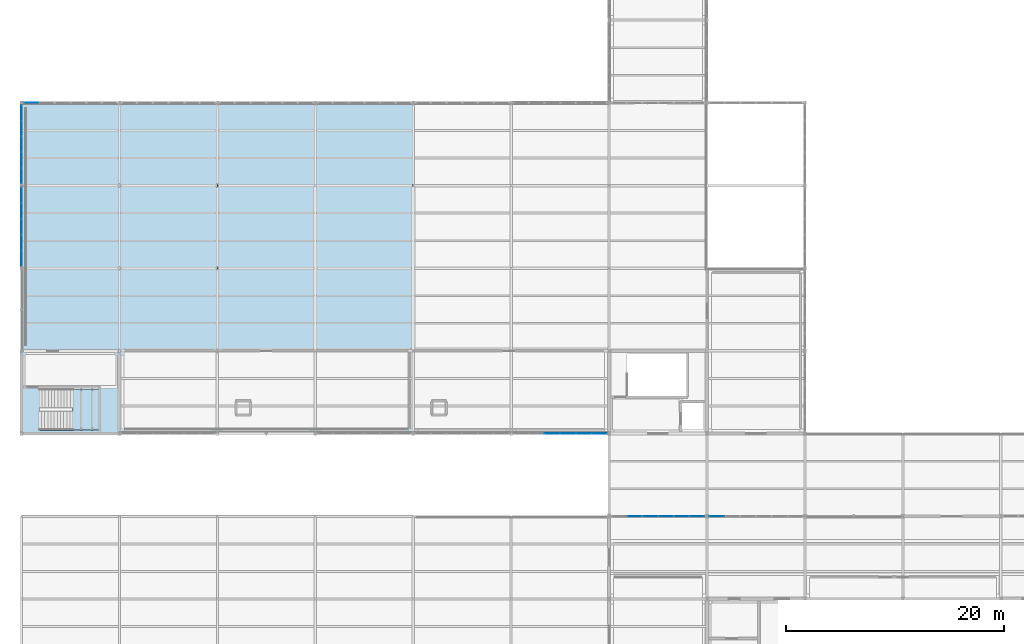
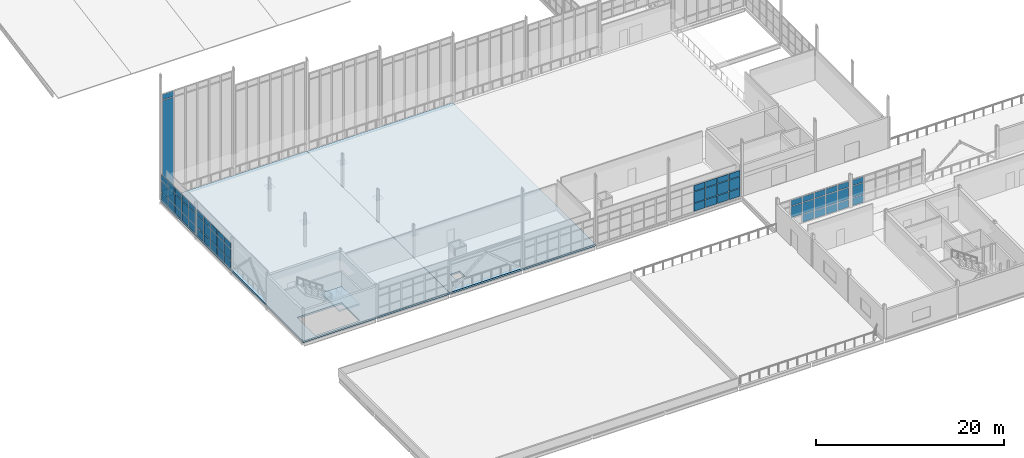
# One storey, part 124 of 166: 62 plates, 3 slabs, 7 elements without a shape of their own.
"""IFC4 building model written with IfcOpenShell, lengths in metres."""

from ifc_helpers import new_model, si_unit, direction, frame, origin, origin_2d, place, context, subcontext, project, spatial, polyline, rectangle, outline, extrude, material, layer, layer_set, type_object, element, aggregate, save


model = new_model("IFC4")

# Units and contexts
model_context = context("Model", 3, precision=1e-05, world=origin(), true_north=direction((0.0, 1.0)))
body_context = subcontext(model_context, "Body", "Model", "MODEL_VIEW")
ifc_project = project(units=[si_unit("LENGTHUNIT", "METRE"), si_unit("AREAUNIT", "SQUARE_METRE"), si_unit("VOLUMEUNIT", "CUBIC_METRE"), si_unit("PLANEANGLEUNIT", "RADIAN"), si_unit("MASSUNIT", "GRAM", prefix="KILO")], contexts=[model_context])

# Site, building, storey
site_placement = place(None, origin())
site = spatial("IfcSite", under=ifc_project, at=site_placement, CompositionType="ELEMENT")
building_placement = place(site_placement, origin())
building = spatial("IfcBuilding", under=site, at=building_placement, Name="Caisbarro Railhouse Central Library", CompositionType="ELEMENT")
storey_placement = place(building_placement, frame((0.0, 0.0, 9.360107421875)))
storey = spatial("IfcBuildingStorey", under=building, at=storey_placement, Name="L02", CompositionType="ELEMENT", Elevation=9.360107421875)

# Curtain wall, plates
ifc_material_1 = material(Name="Anodised architectural aluminium", Category="aluminium")
curtain_wall_type_1 = type_object("IfcCurtainWallType", Name="CW-CW05", PredefinedType="NOTDEFINED", material=ifc_material_1)
curtain_wall_1_placement = place(storey_placement, origin())
curtain_wall_1 = element("IfcCurtainWall", 1, at=curtain_wall_1_placement, inside=storey, type_object=curtain_wall_type_1, Name="CW05 curtain wall L02 #3", PredefinedType="NOTDEFINED")
ifc_material_2 = material(Name="Double low-e laminated solar-control glass", Category="glass")
ifc_layer_1 = layer(ifc_material_2, 0.01806640625, Name="Double low-e laminated solar-control glass")
ifc_layer_set_1 = layer_set([ifc_layer_1], Name="Double low-e laminated solar-control glass")
plate_type_1 = type_object("IfcPlateType", Name="CWP-CP18", PredefinedType="CURTAIN_PANEL", material=ifc_layer_set_1)
plate_1_placement = place(storey_placement, frame((0.902099609375, 60.800048828125, 0.07470703125), z_axis=(0.0, 0.0, 1.0), x_axis=(1.0, 0.0, 0.0)))
plate_1 = element("IfcPlate", 2, at=plate_1_placement, type_object=plate_type_1, Name="CW05 panel 1.1", PredefinedType="CURTAIN_PANEL", context=body_context, shape_type="SweptSolid", body=[
    extrude(rectangle(XDim=1.334228515625, YDim=0.01806640625, at=origin_2d()), origin(), (0.0, 0.0, 1.0), 1.007568359375),
])
plate_2_placement = place(storey_placement, frame((0.902099609375, 60.800048828125, 1.157470703125), z_axis=(0.0, 0.0, 1.0), x_axis=(1.0, 0.0, 0.0)))
plate_2 = element("IfcPlate", 3, at=plate_2_placement, type_object=plate_type_1, Name="CW05 panel 1.2", PredefinedType="CURTAIN_PANEL", context=body_context, shape_type="SweptSolid", body=[
    extrude(rectangle(XDim=1.334228515625, YDim=0.01806640625, at=origin_2d()), origin(), (0.0, 0.0, 1.0), 11.625),
])
plate_3_placement = place(storey_placement, frame((0.902099609375, 60.800048828125, 12.857421875), z_axis=(0.0, 0.0, 1.0), x_axis=(1.0, 0.0, 0.0)))
plate_3 = element("IfcPlate", 4, at=plate_3_placement, type_object=plate_type_1, Name="CW05 panel 1.3", PredefinedType="CURTAIN_PANEL", context=body_context, shape_type="SweptSolid", body=[
    extrude(rectangle(XDim=1.334228515625, YDim=0.01806640625, at=origin_2d()), origin(), (0.0, 0.0, 1.0), 0.737548828125),
])
aggregate(curtain_wall_1, [plate_1, plate_2, plate_3])

curtain_wall_type_2 = type_object("IfcCurtainWallType", Name="CW-CW02", PredefinedType="NOTDEFINED", material=ifc_material_1)
curtain_wall_2_placement = place(storey_placement, origin())
curtain_wall_2 = element("IfcCurtainWall", 5, at=curtain_wall_2_placement, inside=storey, type_object=curtain_wall_type_2, Name="CW02 curtain wall L02 #58", PredefinedType="NOTDEFINED")
plate_4_placement = place(storey_placement, frame((56.330078125, 22.800048828125, 1.1572265625), z_axis=(0.0, 0.0, 1.0), x_axis=(1.0, 0.0, 0.0)))
plate_4 = element("IfcPlate", 6, at=plate_4_placement, type_object=plate_type_1, Name="CW02 panel 2.2", PredefinedType="CURTAIN_PANEL", context=body_context, shape_type="SweptSolid", body=[
    extrude(rectangle(XDim=1.37158203125, YDim=0.01806640625, at=origin_2d()), origin(), (0.0, 0.0, 1.0), 1.465087890625),
])
plate_5_placement = place(storey_placement, frame((56.330078125, 22.800048828125, 2.697265625), z_axis=(0.0, 0.0, 1.0), x_axis=(1.0, 0.0, 0.0)))
plate_5 = element("IfcPlate", 7, at=plate_5_placement, type_object=plate_type_1, Name="CW02 panel 2.3", PredefinedType="CURTAIN_PANEL", context=body_context, shape_type="SweptSolid", body=[
    extrude(rectangle(XDim=1.37158203125, YDim=0.01806640625, at=origin_2d()), origin(), (0.0, 0.0, 1.0), 0.737548828125),
])
plate_6_placement = place(storey_placement, frame((57.776611328125, 22.800048828125, 0.07470703125), z_axis=(0.0, 0.0, 1.0), x_axis=(1.0, 0.0, 0.0)))
plate_6 = element("IfcPlate", 8, at=plate_6_placement, type_object=plate_type_1, Name="CW02 panel 3.1", PredefinedType="CURTAIN_PANEL", context=body_context, shape_type="SweptSolid", body=[
    extrude(rectangle(XDim=1.37158203125, YDim=0.01806640625, at=origin_2d()), origin(), (0.0, 0.0, 1.0), 1.007568359375),
])
plate_7_placement = place(storey_placement, frame((57.776611328125, 22.800048828125, 1.1572265625), z_axis=(0.0, 0.0, 1.0), x_axis=(1.0, 0.0, 0.0)))
plate_7 = element("IfcPlate", 9, at=plate_7_placement, type_object=plate_type_1, Name="CW02 panel 3.2", PredefinedType="CURTAIN_PANEL", context=body_context, shape_type="SweptSolid", body=[
    extrude(rectangle(XDim=1.37158203125, YDim=0.01806640625, at=origin_2d()), origin(), (0.0, 0.0, 1.0), 1.465087890625),
])
plate_8_placement = place(storey_placement, frame((57.776611328125, 22.800048828125, 2.697265625), z_axis=(0.0, 0.0, 1.0), x_axis=(1.0, 0.0, 0.0)))
plate_8 = element("IfcPlate", 10, at=plate_8_placement, type_object=plate_type_1, Name="CW02 panel 3.3", PredefinedType="CURTAIN_PANEL", context=body_context, shape_type="SweptSolid", body=[
    extrude(rectangle(XDim=1.37158203125, YDim=0.01806640625, at=origin_2d()), origin(), (0.0, 0.0, 1.0), 0.737548828125),
])
plate_9_placement = place(storey_placement, frame((59.223388671875, 22.800048828125, 0.07470703125), z_axis=(0.0, 0.0, 1.0), x_axis=(1.0, 0.0, 0.0)))
plate_9 = element("IfcPlate", 11, at=plate_9_placement, type_object=plate_type_1, Name="CW02 panel 4.1", PredefinedType="CURTAIN_PANEL", context=body_context, shape_type="SweptSolid", body=[
    extrude(rectangle(XDim=1.37158203125, YDim=0.01806640625, at=origin_2d()), origin(), (0.0, 0.0, 1.0), 1.007568359375),
])
plate_10_placement = place(storey_placement, frame((59.223388671875, 22.800048828125, 1.1572265625), z_axis=(0.0, 0.0, 1.0), x_axis=(1.0, 0.0, 0.0)))
plate_10 = element("IfcPlate", 12, at=plate_10_placement, type_object=plate_type_1, Name="CW02 panel 4.2", PredefinedType="CURTAIN_PANEL", context=body_context, shape_type="SweptSolid", body=[
    extrude(rectangle(XDim=1.37158203125, YDim=0.01806640625, at=origin_2d()), origin(), (0.0, 0.0, 1.0), 1.465087890625),
])
plate_11_placement = place(storey_placement, frame((59.223388671875, 22.800048828125, 2.697265625), z_axis=(0.0, 0.0, 1.0), x_axis=(1.0, 0.0, 0.0)))
plate_11 = element("IfcPlate", 13, at=plate_11_placement, type_object=plate_type_1, Name="CW02 panel 4.3", PredefinedType="CURTAIN_PANEL", context=body_context, shape_type="SweptSolid", body=[
    extrude(rectangle(XDim=1.37158203125, YDim=0.01806640625, at=origin_2d()), origin(), (0.0, 0.0, 1.0), 0.737548828125),
])
plate_12_placement = place(storey_placement, frame((60.669921875, 22.800048828125, 0.07470703125), z_axis=(0.0, 0.0, 1.0), x_axis=(1.0, 0.0, 0.0)))
plate_12 = element("IfcPlate", 14, at=plate_12_placement, type_object=plate_type_1, Name="CW02 panel 5.1", PredefinedType="CURTAIN_PANEL", context=body_context, shape_type="SweptSolid", body=[
    extrude(rectangle(XDim=1.37158203125, YDim=0.01806640625, at=origin_2d()), origin(), (0.0, 0.0, 1.0), 1.007568359375),
])
plate_13_placement = place(storey_placement, frame((60.669921875, 22.800048828125, 1.1572265625), z_axis=(0.0, 0.0, 1.0), x_axis=(1.0, 0.0, 0.0)))
plate_13 = element("IfcPlate", 15, at=plate_13_placement, type_object=plate_type_1, Name="CW02 panel 5.2", PredefinedType="CURTAIN_PANEL", context=body_context, shape_type="SweptSolid", body=[
    extrude(rectangle(XDim=1.37158203125, YDim=0.01806640625, at=origin_2d()), origin(), (0.0, 0.0, 1.0), 1.465087890625),
])
plate_14_placement = place(storey_placement, frame((60.669921875, 22.800048828125, 2.697265625), z_axis=(0.0, 0.0, 1.0), x_axis=(1.0, 0.0, 0.0)))
plate_14 = element("IfcPlate", 16, at=plate_14_placement, type_object=plate_type_1, Name="CW02 panel 5.3", PredefinedType="CURTAIN_PANEL", context=body_context, shape_type="SweptSolid", body=[
    extrude(rectangle(XDim=1.37158203125, YDim=0.01806640625, at=origin_2d()), origin(), (0.0, 0.0, 1.0), 0.737548828125),
])
plate_15_placement = place(storey_placement, frame((62.097900390625, 22.800048828125, 0.07470703125), z_axis=(0.0, 0.0, 1.0), x_axis=(1.0, 0.0, 0.0)))
plate_15 = element("IfcPlate", 17, at=plate_15_placement, type_object=plate_type_1, Name="CW02 panel 6.1", PredefinedType="CURTAIN_PANEL", context=body_context, shape_type="SweptSolid", body=[
    extrude(rectangle(XDim=1.334228515625, YDim=0.01806640625, at=origin_2d()), origin(), (0.0, 0.0, 1.0), 1.007568359375),
])
plate_16_placement = place(storey_placement, frame((62.097900390625, 22.800048828125, 1.1572265625), z_axis=(0.0, 0.0, 1.0), x_axis=(1.0, 0.0, 0.0)))
plate_16 = element("IfcPlate", 18, at=plate_16_placement, type_object=plate_type_1, Name="CW02 panel 6.2", PredefinedType="CURTAIN_PANEL", context=body_context, shape_type="SweptSolid", body=[
    extrude(rectangle(XDim=1.334228515625, YDim=0.01806640625, at=origin_2d()), origin(), (0.0, 0.0, 1.0), 1.465087890625),
])
plate_17_placement = place(storey_placement, frame((62.097900390625, 22.800048828125, 2.697265625), z_axis=(0.0, 0.0, 1.0), x_axis=(1.0, 0.0, 0.0)))
plate_17 = element("IfcPlate", 19, at=plate_17_placement, type_object=plate_type_1, Name="CW02 panel 6.3", PredefinedType="CURTAIN_PANEL", context=body_context, shape_type="SweptSolid", body=[
    extrude(rectangle(XDim=1.334228515625, YDim=0.01806640625, at=origin_2d()), origin(), (0.0, 0.0, 1.0), 0.737548828125),
])
aggregate(curtain_wall_2, [plate_4, plate_5, plate_6, plate_7, plate_8, plate_9, plate_10, plate_11, plate_12, plate_13, plate_14, plate_15, plate_16, plate_17])

curtain_wall_3_placement = place(storey_placement, origin())
curtain_wall_3 = element("IfcCurtainWall", 20, at=curtain_wall_3_placement, inside=storey, type_object=curtain_wall_type_2, Name="CW02 curtain wall L02 #59", PredefinedType="NOTDEFINED")
ifc_layer_2 = layer(ifc_material_2, 0.028076171875, Name="Double low-e laminated solar-control glass")
ifc_layer_set_2 = layer_set([ifc_layer_2], Name="Double low-e laminated solar-control glass")
plate_type_2 = type_object("IfcPlateType", Name="CWP-CP28", PredefinedType="CURTAIN_PANEL", material=ifc_layer_set_2)
plate_18_placement = place(storey_placement, frame((63.899658203125, 22.800048828125, 0.07470703125), z_axis=(0.0, 0.0, 1.0), x_axis=(1.0, 0.0, 0.0)))
plate_18 = element("IfcPlate", 21, at=plate_18_placement, type_object=plate_type_2, Name="CW02 panel 1.1", PredefinedType="CURTAIN_PANEL", context=body_context, shape_type="SweptSolid", body=[
    extrude(rectangle(XDim=1.34912109375, YDim=0.028076171875, at=origin_2d()), origin(), (0.0, 0.0, 1.0), 1.007568359375),
])
plate_19_placement = place(storey_placement, frame((63.899658203125, 22.800048828125, 1.1572265625), z_axis=(0.0, 0.0, 1.0), x_axis=(1.0, 0.0, 0.0)))
plate_19 = element("IfcPlate", 22, at=plate_19_placement, type_object=plate_type_2, Name="CW02 panel 1.2", PredefinedType="CURTAIN_PANEL", context=body_context, shape_type="SweptSolid", body=[
    extrude(rectangle(XDim=1.34912109375, YDim=0.028076171875, at=origin_2d()), origin(), (0.0, 0.0, 1.0), 1.465087890625),
])
plate_20_placement = place(storey_placement, frame((63.899658203125, 22.800048828125, 2.697265625), z_axis=(0.0, 0.0, 1.0), x_axis=(1.0, 0.0, 0.0)))
plate_20 = element("IfcPlate", 23, at=plate_20_placement, type_object=plate_type_2, Name="CW02 panel 1.3", PredefinedType="CURTAIN_PANEL", context=body_context, shape_type="SweptSolid", body=[
    extrude(rectangle(XDim=1.34912109375, YDim=0.028076171875, at=origin_2d()), origin(), (0.0, 0.0, 1.0), 0.737548828125),
])
aggregate(curtain_wall_3, [plate_18, plate_19, plate_20])

curtain_wall_4_placement = place(storey_placement, origin())
curtain_wall_4 = element("IfcCurtainWall", 24, at=curtain_wall_4_placement, inside=storey, type_object=curtain_wall_type_2, Name="CW02 curtain wall L02 #38", PredefinedType="NOTDEFINED")
ifc_layer_3 = layer(ifc_material_2, 0.0380859375, Name="Double low-e laminated solar-control glass")
ifc_layer_set_3 = layer_set([ifc_layer_3], Name="Double low-e laminated solar-control glass")
plate_type_3 = type_object("IfcPlateType", Name="CWP-CP38", PredefinedType="CURTAIN_PANEL", material=ifc_layer_set_3)
plate_21_placement = place(storey_placement, frame((0.0, 46.504150390625, 0.07470703125), z_axis=(0.0, 0.0, 1.0), x_axis=(0.0, 1.0, 0.0)))
plate_21 = element("IfcPlate", 25, at=plate_21_placement, type_object=plate_type_3, Name="CW02 panel 1.1", PredefinedType="CURTAIN_PANEL", context=body_context, shape_type="SweptSolid", body=[
    extrude(rectangle(XDim=1.3583984375, YDim=0.0380859375, at=origin_2d()), origin(), (0.0, 0.0, 1.0), 1.007568359375),
])
plate_22_placement = place(storey_placement, frame((0.0, 46.504150390625, 1.1572265625), z_axis=(0.0, 0.0, 1.0), x_axis=(0.0, 1.0, 0.0)))
plate_22 = element("IfcPlate", 26, at=plate_22_placement, type_object=plate_type_3, Name="CW02 panel 1.2", PredefinedType="CURTAIN_PANEL", context=body_context, shape_type="SweptSolid", body=[
    extrude(rectangle(XDim=1.3583984375, YDim=0.0380859375, at=origin_2d()), origin(), (0.0, 0.0, 1.0), 1.445068359375),
])
plate_23_placement = place(storey_placement, frame((0.0, 46.504150390625, 2.67724609375), z_axis=(0.0, 0.0, 1.0), x_axis=(0.0, 1.0, 0.0)))
plate_23 = element("IfcPlate", 27, at=plate_23_placement, type_object=plate_type_3, Name="CW02 panel 1.3", PredefinedType="CURTAIN_PANEL", context=body_context, shape_type="SweptSolid", body=[
    extrude(rectangle(XDim=1.3583984375, YDim=0.0380859375, at=origin_2d()), origin(), (0.0, 0.0, 1.0), 0.737548828125),
])
plate_24_placement = place(storey_placement, frame((0.0, 47.944091796875, 0.07470703125), z_axis=(0.0, 0.0, 1.0), x_axis=(0.0, 1.0, 0.0)))
plate_24 = element("IfcPlate", 28, at=plate_24_placement, type_object=plate_type_3, Name="CW02 panel 2.1", PredefinedType="CURTAIN_PANEL", context=body_context, shape_type="SweptSolid", body=[
    extrude(rectangle(XDim=1.39111328125, YDim=0.0380859375, at=origin_2d()), origin(), (0.0, 0.0, 1.0), 1.007568359375),
])
plate_25_placement = place(storey_placement, frame((0.0, 47.944091796875, 1.1572265625), z_axis=(0.0, 0.0, 1.0), x_axis=(0.0, 1.0, 0.0)))
plate_25 = element("IfcPlate", 29, at=plate_25_placement, type_object=plate_type_3, Name="CW02 panel 2.2", PredefinedType="CURTAIN_PANEL", context=body_context, shape_type="SweptSolid", body=[
    extrude(rectangle(XDim=1.39111328125, YDim=0.0380859375, at=origin_2d()), origin(), (0.0, 0.0, 1.0), 1.445068359375),
])
plate_26_placement = place(storey_placement, frame((0.0, 47.944091796875, 2.67724609375), z_axis=(0.0, 0.0, 1.0), x_axis=(0.0, 1.0, 0.0)))
plate_26 = element("IfcPlate", 30, at=plate_26_placement, type_object=plate_type_3, Name="CW02 panel 2.3", PredefinedType="CURTAIN_PANEL", context=body_context, shape_type="SweptSolid", body=[
    extrude(rectangle(XDim=1.39111328125, YDim=0.0380859375, at=origin_2d()), origin(), (0.0, 0.0, 1.0), 0.737548828125),
])
plate_27_placement = place(storey_placement, frame((0.0, 49.39990234375, 0.07470703125), z_axis=(0.0, 0.0, 1.0), x_axis=(0.0, 1.0, 0.0)))
plate_27 = element("IfcPlate", 31, at=plate_27_placement, type_object=plate_type_3, Name="CW02 panel 3.1", PredefinedType="CURTAIN_PANEL", context=body_context, shape_type="SweptSolid", body=[
    extrude(rectangle(XDim=1.39111328125, YDim=0.0380859375, at=origin_2d()), origin(), (0.0, 0.0, 1.0), 1.007568359375),
])
plate_28_placement = place(storey_placement, frame((0.0, 49.39990234375, 1.1572265625), z_axis=(0.0, 0.0, 1.0), x_axis=(0.0, 1.0, 0.0)))
plate_28 = element("IfcPlate", 32, at=plate_28_placement, type_object=plate_type_3, Name="CW02 panel 3.2", PredefinedType="CURTAIN_PANEL", context=body_context, shape_type="SweptSolid", body=[
    extrude(rectangle(XDim=1.39111328125, YDim=0.0380859375, at=origin_2d()), origin(), (0.0, 0.0, 1.0), 1.445068359375),
])
plate_29_placement = place(storey_placement, frame((0.0, 49.39990234375, 2.67724609375), z_axis=(0.0, 0.0, 1.0), x_axis=(0.0, 1.0, 0.0)))
plate_29 = element("IfcPlate", 33, at=plate_29_placement, type_object=plate_type_3, Name="CW02 panel 3.3", PredefinedType="CURTAIN_PANEL", context=body_context, shape_type="SweptSolid", body=[
    extrude(rectangle(XDim=1.39111328125, YDim=0.0380859375, at=origin_2d()), origin(), (0.0, 0.0, 1.0), 0.737548828125),
])
plate_30_placement = place(storey_placement, frame((0.0, 50.85595703125, 0.07470703125), z_axis=(0.0, 0.0, 1.0), x_axis=(0.0, 1.0, 0.0)))
plate_30 = element("IfcPlate", 34, at=plate_30_placement, type_object=plate_type_3, Name="CW02 panel 4.1", PredefinedType="CURTAIN_PANEL", context=body_context, shape_type="SweptSolid", body=[
    extrude(rectangle(XDim=1.39111328125, YDim=0.0380859375, at=origin_2d()), origin(), (0.0, 0.0, 1.0), 1.007568359375),
])
plate_31_placement = place(storey_placement, frame((0.0, 50.85595703125, 1.1572265625), z_axis=(0.0, 0.0, 1.0), x_axis=(0.0, 1.0, 0.0)))
plate_31 = element("IfcPlate", 35, at=plate_31_placement, type_object=plate_type_3, Name="CW02 panel 4.2", PredefinedType="CURTAIN_PANEL", context=body_context, shape_type="SweptSolid", body=[
    extrude(rectangle(XDim=1.39111328125, YDim=0.0380859375, at=origin_2d()), origin(), (0.0, 0.0, 1.0), 1.445068359375),
])
plate_32_placement = place(storey_placement, frame((0.0, 50.85595703125, 2.67724609375), z_axis=(0.0, 0.0, 1.0), x_axis=(0.0, 1.0, 0.0)))
plate_32 = element("IfcPlate", 36, at=plate_32_placement, type_object=plate_type_3, Name="CW02 panel 4.3", PredefinedType="CURTAIN_PANEL", context=body_context, shape_type="SweptSolid", body=[
    extrude(rectangle(XDim=1.39111328125, YDim=0.0380859375, at=origin_2d()), origin(), (0.0, 0.0, 1.0), 0.737548828125),
])
plate_33_placement = place(storey_placement, frame((0.0, 52.295654296875, 0.07470703125), z_axis=(0.0, 0.0, 1.0), x_axis=(0.0, 1.0, 0.0)))
plate_33 = element("IfcPlate", 37, at=plate_33_placement, type_object=plate_type_3, Name="CW02 panel 5.1", PredefinedType="CURTAIN_PANEL", context=body_context, shape_type="SweptSolid", body=[
    extrude(rectangle(XDim=1.3583984375, YDim=0.0380859375, at=origin_2d()), origin(), (0.0, 0.0, 1.0), 1.007568359375),
])
plate_34_placement = place(storey_placement, frame((0.0, 52.295654296875, 1.1572265625), z_axis=(0.0, 0.0, 1.0), x_axis=(0.0, 1.0, 0.0)))
plate_34 = element("IfcPlate", 38, at=plate_34_placement, type_object=plate_type_3, Name="CW02 panel 5.2", PredefinedType="CURTAIN_PANEL", context=body_context, shape_type="SweptSolid", body=[
    extrude(rectangle(XDim=1.3583984375, YDim=0.0380859375, at=origin_2d()), origin(), (0.0, 0.0, 1.0), 1.445068359375),
])
plate_35_placement = place(storey_placement, frame((0.0, 52.295654296875, 2.67724609375), z_axis=(0.0, 0.0, 1.0), x_axis=(0.0, 1.0, 0.0)))
plate_35 = element("IfcPlate", 39, at=plate_35_placement, type_object=plate_type_3, Name="CW02 panel 5.3", PredefinedType="CURTAIN_PANEL", context=body_context, shape_type="SweptSolid", body=[
    extrude(rectangle(XDim=1.3583984375, YDim=0.0380859375, at=origin_2d()), origin(), (0.0, 0.0, 1.0), 0.737548828125),
])
aggregate(curtain_wall_4, [plate_21, plate_22, plate_23, plate_24, plate_25, plate_26, plate_27, plate_28, plate_29, plate_30, plate_31, plate_32, plate_33, plate_34, plate_35])

curtain_wall_5_placement = place(storey_placement, origin())
curtain_wall_5 = element("IfcCurtainWall", 40, at=curtain_wall_5_placement, inside=storey, type_object=curtain_wall_type_2, Name="CW02 curtain wall L02 #39", PredefinedType="NOTDEFINED")
ifc_layer_4 = layer(ifc_material_2, 0.048095703125, Name="Double low-e laminated solar-control glass")
ifc_layer_set_4 = layer_set([ifc_layer_4], Name="Double low-e laminated solar-control glass")
plate_type_4 = type_object("IfcPlateType", Name="CWP-CP48", PredefinedType="CURTAIN_PANEL", material=ifc_layer_set_4)
plate_36_placement = place(storey_placement, frame((0.0, 54.104248046875, 0.07470703125), z_axis=(0.0, 0.0, 1.0), x_axis=(0.0, 1.0, 0.0)))
plate_36 = element("IfcPlate", 41, at=plate_36_placement, type_object=plate_type_4, Name="CW02 panel 1.1", PredefinedType="CURTAIN_PANEL", context=body_context, shape_type="SweptSolid", body=[
    extrude(rectangle(XDim=1.3583984375, YDim=0.048095703125, at=origin_2d()), origin(), (0.0, 0.0, 1.0), 1.007568359375),
])
plate_37_placement = place(storey_placement, frame((0.0, 54.104248046875, 1.1572265625), z_axis=(0.0, 0.0, 1.0), x_axis=(0.0, 1.0, 0.0)))
plate_37 = element("IfcPlate", 42, at=plate_37_placement, type_object=plate_type_4, Name="CW02 panel 1.2", PredefinedType="CURTAIN_PANEL", context=body_context, shape_type="SweptSolid", body=[
    extrude(rectangle(XDim=1.3583984375, YDim=0.048095703125, at=origin_2d()), origin(), (0.0, 0.0, 1.0), 1.445068359375),
])
plate_38_placement = place(storey_placement, frame((0.0, 54.104248046875, 2.67724609375), z_axis=(0.0, 0.0, 1.0), x_axis=(0.0, 1.0, 0.0)))
plate_38 = element("IfcPlate", 43, at=plate_38_placement, type_object=plate_type_4, Name="CW02 panel 1.3", PredefinedType="CURTAIN_PANEL", context=body_context, shape_type="SweptSolid", body=[
    extrude(rectangle(XDim=1.3583984375, YDim=0.048095703125, at=origin_2d()), origin(), (0.0, 0.0, 1.0), 0.737548828125),
])
plate_39_placement = place(storey_placement, frame((0.0, 55.5439453125, 0.07470703125), z_axis=(0.0, 0.0, 1.0), x_axis=(0.0, 1.0, 0.0)))
plate_39 = element("IfcPlate", 44, at=plate_39_placement, type_object=plate_type_4, Name="CW02 panel 2.1", PredefinedType="CURTAIN_PANEL", context=body_context, shape_type="SweptSolid", body=[
    extrude(rectangle(XDim=1.39111328125, YDim=0.048095703125, at=origin_2d()), origin(), (0.0, 0.0, 1.0), 1.007568359375),
])
plate_40_placement = place(storey_placement, frame((0.0, 55.5439453125, 1.1572265625), z_axis=(0.0, 0.0, 1.0), x_axis=(0.0, 1.0, 0.0)))
plate_40 = element("IfcPlate", 45, at=plate_40_placement, type_object=plate_type_4, Name="CW02 panel 2.2", PredefinedType="CURTAIN_PANEL", context=body_context, shape_type="SweptSolid", body=[
    extrude(rectangle(XDim=1.39111328125, YDim=0.048095703125, at=origin_2d()), origin(), (0.0, 0.0, 1.0), 1.445068359375),
])
plate_41_placement = place(storey_placement, frame((0.0, 55.5439453125, 2.67724609375), z_axis=(0.0, 0.0, 1.0), x_axis=(0.0, 1.0, 0.0)))
plate_41 = element("IfcPlate", 46, at=plate_41_placement, type_object=plate_type_4, Name="CW02 panel 2.3", PredefinedType="CURTAIN_PANEL", context=body_context, shape_type="SweptSolid", body=[
    extrude(rectangle(XDim=1.39111328125, YDim=0.048095703125, at=origin_2d()), origin(), (0.0, 0.0, 1.0), 0.737548828125),
])
plate_42_placement = place(storey_placement, frame((0.0, 57.0, 0.07470703125), z_axis=(0.0, 0.0, 1.0), x_axis=(0.0, 1.0, 0.0)))
plate_42 = element("IfcPlate", 47, at=plate_42_placement, type_object=plate_type_4, Name="CW02 panel 3.1", PredefinedType="CURTAIN_PANEL", context=body_context, shape_type="SweptSolid", body=[
    extrude(rectangle(XDim=1.39111328125, YDim=0.048095703125, at=origin_2d()), origin(), (0.0, 0.0, 1.0), 1.007568359375),
])
plate_43_placement = place(storey_placement, frame((0.0, 57.0, 1.1572265625), z_axis=(0.0, 0.0, 1.0), x_axis=(0.0, 1.0, 0.0)))
plate_43 = element("IfcPlate", 48, at=plate_43_placement, type_object=plate_type_4, Name="CW02 panel 3.2", PredefinedType="CURTAIN_PANEL", context=body_context, shape_type="SweptSolid", body=[
    extrude(rectangle(XDim=1.39111328125, YDim=0.048095703125, at=origin_2d()), origin(), (0.0, 0.0, 1.0), 1.445068359375),
])
plate_44_placement = place(storey_placement, frame((0.0, 57.0, 2.67724609375), z_axis=(0.0, 0.0, 1.0), x_axis=(0.0, 1.0, 0.0)))
plate_44 = element("IfcPlate", 49, at=plate_44_placement, type_object=plate_type_4, Name="CW02 panel 3.3", PredefinedType="CURTAIN_PANEL", context=body_context, shape_type="SweptSolid", body=[
    extrude(rectangle(XDim=1.39111328125, YDim=0.048095703125, at=origin_2d()), origin(), (0.0, 0.0, 1.0), 0.737548828125),
])
plate_45_placement = place(storey_placement, frame((0.0, 58.4560546875, 0.07470703125), z_axis=(0.0, 0.0, 1.0), x_axis=(0.0, 1.0, 0.0)))
plate_45 = element("IfcPlate", 50, at=plate_45_placement, type_object=plate_type_4, Name="CW02 panel 4.1", PredefinedType="CURTAIN_PANEL", context=body_context, shape_type="SweptSolid", body=[
    extrude(rectangle(XDim=1.39111328125, YDim=0.048095703125, at=origin_2d()), origin(), (0.0, 0.0, 1.0), 1.007568359375),
])
plate_46_placement = place(storey_placement, frame((0.0, 58.4560546875, 1.1572265625), z_axis=(0.0, 0.0, 1.0), x_axis=(0.0, 1.0, 0.0)))
plate_46 = element("IfcPlate", 51, at=plate_46_placement, type_object=plate_type_4, Name="CW02 panel 4.2", PredefinedType="CURTAIN_PANEL", context=body_context, shape_type="SweptSolid", body=[
    extrude(rectangle(XDim=1.39111328125, YDim=0.048095703125, at=origin_2d()), origin(), (0.0, 0.0, 1.0), 1.445068359375),
])
plate_47_placement = place(storey_placement, frame((0.0, 58.4560546875, 2.67724609375), z_axis=(0.0, 0.0, 1.0), x_axis=(0.0, 1.0, 0.0)))
plate_47 = element("IfcPlate", 52, at=plate_47_placement, type_object=plate_type_4, Name="CW02 panel 4.3", PredefinedType="CURTAIN_PANEL", context=body_context, shape_type="SweptSolid", body=[
    extrude(rectangle(XDim=1.39111328125, YDim=0.048095703125, at=origin_2d()), origin(), (0.0, 0.0, 1.0), 0.737548828125),
])
plate_48_placement = place(storey_placement, frame((0.0, 59.895751953125, 0.07470703125), z_axis=(0.0, 0.0, 1.0), x_axis=(0.0, 1.0, 0.0)))
plate_48 = element("IfcPlate", 53, at=plate_48_placement, type_object=plate_type_4, Name="CW02 panel 5.1", PredefinedType="CURTAIN_PANEL", context=body_context, shape_type="SweptSolid", body=[
    extrude(rectangle(XDim=1.3583984375, YDim=0.048095703125, at=origin_2d()), origin(), (0.0, 0.0, 1.0), 1.007568359375),
])
plate_49_placement = place(storey_placement, frame((0.0, 59.895751953125, 1.1572265625), z_axis=(0.0, 0.0, 1.0), x_axis=(0.0, 1.0, 0.0)))
plate_49 = element("IfcPlate", 54, at=plate_49_placement, type_object=plate_type_4, Name="CW02 panel 5.2", PredefinedType="CURTAIN_PANEL", context=body_context, shape_type="SweptSolid", body=[
    extrude(rectangle(XDim=1.3583984375, YDim=0.048095703125, at=origin_2d()), origin(), (0.0, 0.0, 1.0), 1.445068359375),
])
plate_50_placement = place(storey_placement, frame((0.0, 59.895751953125, 2.67724609375), z_axis=(0.0, 0.0, 1.0), x_axis=(0.0, 1.0, 0.0)))
plate_50 = element("IfcPlate", 55, at=plate_50_placement, type_object=plate_type_4, Name="CW02 panel 5.3", PredefinedType="CURTAIN_PANEL", context=body_context, shape_type="SweptSolid", body=[
    extrude(rectangle(XDim=1.3583984375, YDim=0.048095703125, at=origin_2d()), origin(), (0.0, 0.0, 1.0), 0.737548828125),
])
aggregate(curtain_wall_5, [plate_36, plate_37, plate_38, plate_39, plate_40, plate_41, plate_42, plate_43, plate_44, plate_45, plate_46, plate_47, plate_48, plate_49, plate_50])

curtain_wall_6_placement = place(storey_placement, origin())
curtain_wall_6 = element("IfcCurtainWall", 56, at=curtain_wall_6_placement, inside=storey, type_object=curtain_wall_type_2, Name="CW02 curtain wall L02 #47", PredefinedType="NOTDEFINED")
ifc_layer_5 = layer(ifc_material_2, 0.068115234375, Name="Double low-e laminated solar-control glass")
ifc_layer_set_5 = layer_set([ifc_layer_5], Name="Double low-e laminated solar-control glass")
plate_type_5 = type_object("IfcPlateType", Name="CWP-CP68", PredefinedType="CURTAIN_PANEL", material=ifc_layer_set_5)
plate_51_placement = place(storey_placement, frame((48.776611328125, 30.39990234375, 0.06494140625), z_axis=(0.0, 0.0, 1.0), x_axis=(1.0, 0.0, 0.0)))
plate_51 = element("IfcPlate", 57, at=plate_51_placement, type_object=plate_type_5, Name="CW02 panel 3.1", PredefinedType="CURTAIN_PANEL", context=body_context, shape_type="SweptSolid", body=[
    extrude(rectangle(XDim=1.381591796875, YDim=0.068115234375, at=origin_2d()), origin(), (0.0, 0.0, 1.0), 1.0224609375),
])
plate_52_placement = place(storey_placement, frame((48.776611328125, 30.39990234375, 1.15234375), z_axis=(0.0, 0.0, 1.0), x_axis=(1.0, 0.0, 0.0)))
plate_52 = element("IfcPlate", 58, at=plate_52_placement, type_object=plate_type_5, Name="CW02 panel 3.2", PredefinedType="CURTAIN_PANEL", context=body_context, shape_type="SweptSolid", body=[
    extrude(rectangle(XDim=1.381591796875, YDim=0.068115234375, at=origin_2d()), origin(), (0.0, 0.0, 1.0), 1.455078125),
])
plate_53_placement = place(storey_placement, frame((48.776611328125, 30.39990234375, 2.67236328125), z_axis=(0.0, 0.0, 1.0), x_axis=(1.0, 0.0, 0.0)))
plate_53 = element("IfcPlate", 59, at=plate_53_placement, type_object=plate_type_5, Name="CW02 panel 3.3", PredefinedType="CURTAIN_PANEL", context=body_context, shape_type="SweptSolid", body=[
    extrude(rectangle(XDim=1.381591796875, YDim=0.068115234375, at=origin_2d()), origin(), (0.0, 0.0, 1.0), 0.75244140625),
])
plate_54_placement = place(storey_placement, frame((50.223388671875, 30.39990234375, 0.06494140625), z_axis=(0.0, 0.0, 1.0), x_axis=(1.0, 0.0, 0.0)))
plate_54 = element("IfcPlate", 60, at=plate_54_placement, type_object=plate_type_5, Name="CW02 panel 4.1", PredefinedType="CURTAIN_PANEL", context=body_context, shape_type="SweptSolid", body=[
    extrude(rectangle(XDim=1.381591796875, YDim=0.068115234375, at=origin_2d()), origin(), (0.0, 0.0, 1.0), 1.0224609375),
])
plate_55_placement = place(storey_placement, frame((50.223388671875, 30.39990234375, 1.15234375), z_axis=(0.0, 0.0, 1.0), x_axis=(1.0, 0.0, 0.0)))
plate_55 = element("IfcPlate", 61, at=plate_55_placement, type_object=plate_type_5, Name="CW02 panel 4.2", PredefinedType="CURTAIN_PANEL", context=body_context, shape_type="SweptSolid", body=[
    extrude(rectangle(XDim=1.381591796875, YDim=0.068115234375, at=origin_2d()), origin(), (0.0, 0.0, 1.0), 1.455078125),
])
plate_56_placement = place(storey_placement, frame((50.223388671875, 30.39990234375, 2.67236328125), z_axis=(0.0, 0.0, 1.0), x_axis=(1.0, 0.0, 0.0)))
plate_56 = element("IfcPlate", 62, at=plate_56_placement, type_object=plate_type_5, Name="CW02 panel 4.3", PredefinedType="CURTAIN_PANEL", context=body_context, shape_type="SweptSolid", body=[
    extrude(rectangle(XDim=1.381591796875, YDim=0.068115234375, at=origin_2d()), origin(), (0.0, 0.0, 1.0), 0.75244140625),
])
plate_57_placement = place(storey_placement, frame((51.669921875, 30.39990234375, 0.06494140625), z_axis=(0.0, 0.0, 1.0), x_axis=(1.0, 0.0, 0.0)))
plate_57 = element("IfcPlate", 63, at=plate_57_placement, type_object=plate_type_5, Name="CW02 panel 5.1", PredefinedType="CURTAIN_PANEL", context=body_context, shape_type="SweptSolid", body=[
    extrude(rectangle(XDim=1.381591796875, YDim=0.068115234375, at=origin_2d()), origin(), (0.0, 0.0, 1.0), 1.0224609375),
])
plate_58_placement = place(storey_placement, frame((51.669921875, 30.39990234375, 1.15234375), z_axis=(0.0, 0.0, 1.0), x_axis=(1.0, 0.0, 0.0)))
plate_58 = element("IfcPlate", 64, at=plate_58_placement, type_object=plate_type_5, Name="CW02 panel 5.2", PredefinedType="CURTAIN_PANEL", context=body_context, shape_type="SweptSolid", body=[
    extrude(rectangle(XDim=1.381591796875, YDim=0.068115234375, at=origin_2d()), origin(), (0.0, 0.0, 1.0), 1.455078125),
])
plate_59_placement = place(storey_placement, frame((51.669921875, 30.39990234375, 2.67236328125), z_axis=(0.0, 0.0, 1.0), x_axis=(1.0, 0.0, 0.0)))
plate_59 = element("IfcPlate", 65, at=plate_59_placement, type_object=plate_type_5, Name="CW02 panel 5.3", PredefinedType="CURTAIN_PANEL", context=body_context, shape_type="SweptSolid", body=[
    extrude(rectangle(XDim=1.381591796875, YDim=0.068115234375, at=origin_2d()), origin(), (0.0, 0.0, 1.0), 0.75244140625),
])
plate_60_placement = place(storey_placement, frame((53.100341796875, 30.39990234375, 0.06494140625), z_axis=(0.0, 0.0, 1.0), x_axis=(1.0, 0.0, 0.0)))
plate_60 = element("IfcPlate", 66, at=plate_60_placement, type_object=plate_type_5, Name="CW02 panel 6.1", PredefinedType="CURTAIN_PANEL", context=body_context, shape_type="SweptSolid", body=[
    extrude(rectangle(XDim=1.34912109375, YDim=0.068115234375, at=origin_2d()), origin(), (0.0, 0.0, 1.0), 1.0224609375),
])
plate_61_placement = place(storey_placement, frame((53.100341796875, 30.39990234375, 1.15234375), z_axis=(0.0, 0.0, 1.0), x_axis=(1.0, 0.0, 0.0)))
plate_61 = element("IfcPlate", 67, at=plate_61_placement, type_object=plate_type_5, Name="CW02 panel 6.2", PredefinedType="CURTAIN_PANEL", context=body_context, shape_type="SweptSolid", body=[
    extrude(rectangle(XDim=1.34912109375, YDim=0.068115234375, at=origin_2d()), origin(), (0.0, 0.0, 1.0), 1.455078125),
])
plate_62_placement = place(storey_placement, frame((53.100341796875, 30.39990234375, 2.67236328125), z_axis=(0.0, 0.0, 1.0), x_axis=(1.0, 0.0, 0.0)))
plate_62 = element("IfcPlate", 68, at=plate_62_placement, type_object=plate_type_5, Name="CW02 panel 6.3", PredefinedType="CURTAIN_PANEL", context=body_context, shape_type="SweptSolid", body=[
    extrude(rectangle(XDim=1.34912109375, YDim=0.068115234375, at=origin_2d()), origin(), (0.0, 0.0, 1.0), 0.75244140625),
])
aggregate(curtain_wall_6, [plate_51, plate_52, plate_53, plate_54, plate_55, plate_56, plate_57, plate_58, plate_59, plate_60, plate_61, plate_62])

# Slabs
ifc_material_3 = material(Name="Concrete C35", Category="concrete")
ifc_layer_6 = layer(ifc_material_3, 0.219970703125, Name="Concrete C35")
ifc_layer_set_6 = layer_set([ifc_layer_6], Name="Concrete C35")
slab_type_1 = type_object("IfcSlabType", Name="SLB-FL22", PredefinedType="FLOOR", material=ifc_layer_set_6)
slab_1_placement = place(storey_placement, frame((0.0, 0.0, -0.22021484375)))
element("IfcSlab", 69, at=slab_1_placement, inside=storey, type_object=slab_type_1, Name="SF22 structural slab L02 V1.1", PredefinedType="FLOOR", context=body_context, shape_type="SweptSolid", body=[
    extrude(outline(polyline([(0.0, 30.39990234375), (18.0, 30.39990234375), (18.0, 60.800048828125), (0.0, 60.800048828125), (0.0, 30.39990234375)]), holes=[polyline([(1.64990234375, 30.699951171875), (7.14990234375, 30.699951171875), (7.14990234375, 34.550048828125), (1.64990234375, 34.550048828125), (1.64990234375, 30.699951171875)])]), origin(), (0.0, 0.0, 1.0), 0.22021484375),
])
slab_2_placement = place(storey_placement, frame((0.0, 0.0, -0.22021484375)))
element("IfcSlab", 70, at=slab_2_placement, inside=storey, type_object=slab_type_1, Name="SF22 structural slab L02 V1.2", PredefinedType="FLOOR", context=body_context, shape_type="SweptSolid", body=[
    extrude(outline(polyline([(18.0, 30.39990234375), (36.0, 30.39990234375), (36.0, 60.800048828125), (18.0, 60.800048828125), (18.0, 30.39990234375)]), holes=[polyline([(19.800048828125, 32.199951171875), (20.9599609375, 32.199951171875), (20.9599609375, 33.320068359375), (19.800048828125, 33.320068359375), (19.800048828125, 32.199951171875)])]), origin(), (0.0, 0.0, 1.0), 0.22021484375),
])

# Stair, slab
stair_type = type_object("IfcStairType", Name="STR-ST43C", PredefinedType="HALF_TURN_STAIR", material=ifc_material_3)
stair_placement = place(storey_placement, origin())
stair = element("IfcStair", 71, at=stair_placement, inside=storey, type_object=stair_type, Name="Protected Stair ST-06 (L02)", PredefinedType="HALF_TURN_STAIR")
ifc_layer_7 = layer(ifc_material_3, 0.18994140625, Name="Concrete C35")
ifc_layer_set_7 = layer_set([ifc_layer_7], Name="Concrete C35")
slab_type_2 = type_object("IfcSlabType", Name="SLB-LND19", PredefinedType="LANDING", material=ifc_layer_set_7)
slab_3_placement = place(storey_placement, frame((0.0, 0.0, 1.969970703125)))
slab_3 = element("IfcSlab", 72, at=slab_3_placement, type_object=slab_type_2, Name="ST-06 landing 1", PredefinedType="LANDING", context=body_context, shape_type="SweptSolid", body=[
    extrude(outline(polyline([(4.6201171875, 30.739990234375), (7.1201171875, 30.739990234375), (7.1201171875, 34.510009765625), (4.6201171875, 34.510009765625), (4.6201171875, 30.739990234375)])), origin(), (0.0, 0.0, 1.0), 0.18994140625),
])
aggregate(stair, [slab_3])

save(model, "model.ifc")
